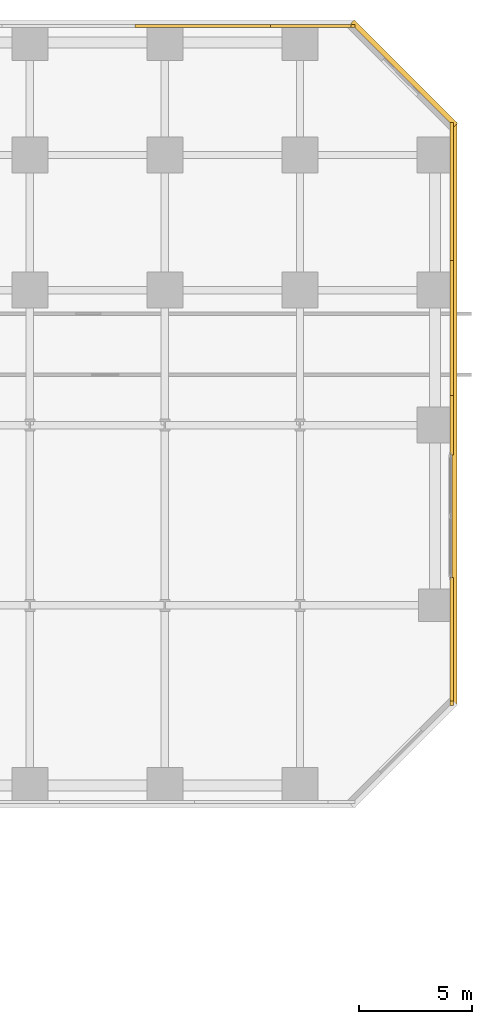
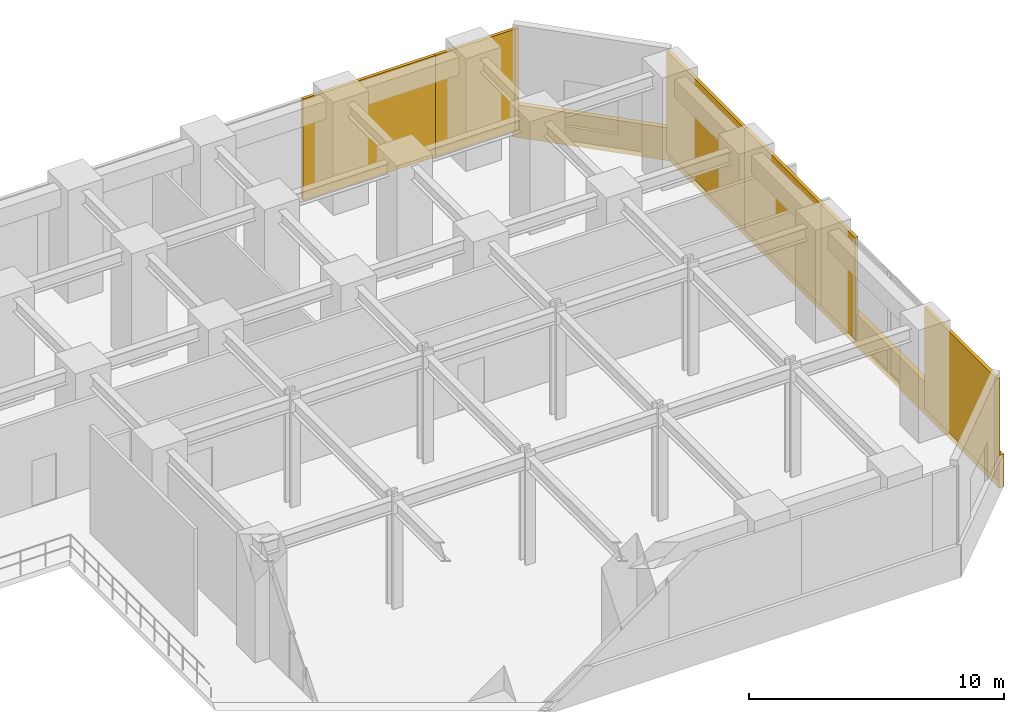
# One storey, part 33 of 33: 10 coverings.
"""IFC4 building model written with IfcOpenShell, lengths in metres."""

from ifc_helpers import new_model, si_unit, direction, frame, origin, origin_2d, place, context, subcontext, project, spatial, rectangle, extrude, source, transform, mapped, material, layer, layer_set, type_object, element, save


model = new_model("IFC4")

# Units and contexts
model_context = context("Model", 3, precision=1e-05, world=origin(), true_north=direction((0.0, 1.0)))
body_context = subcontext(model_context, "Body", "Model", "MODEL_VIEW")
ifc_project = project(units=[si_unit("LENGTHUNIT", "METRE"), si_unit("AREAUNIT", "SQUARE_METRE"), si_unit("VOLUMEUNIT", "CUBIC_METRE"), si_unit("PLANEANGLEUNIT", "RADIAN"), si_unit("MASSUNIT", "GRAM", prefix="KILO")], contexts=[model_context])

# Site, building, storey
site_placement = place(None, origin())
site = spatial("IfcSite", under=ifc_project, at=site_placement, CompositionType="ELEMENT")
building_placement = place(site_placement, origin())
building = spatial("IfcBuilding", under=site, at=building_placement, Name="Torre Montelarca", CompositionType="ELEMENT")
storey_placement = place(building_placement, frame((0.0, 0.0, 12.0)))
storey = spatial("IfcBuildingStorey", under=building, at=storey_placement, Name="L03", CompositionType="ELEMENT", Elevation=12.0)

# Coverings
ifc_material = material(Name="Bush-hammered warm white precast concrete C45/55", Category="concrete")
ifc_layer = layer(ifc_material, 0.139892578125, Name="Bush-hammered warm white precast concrete C45/55", Category="concrete")
ifc_layer_set = layer_set([ifc_layer], Name="Bush-hammered warm white precast concrete C45/55")
covering_type = type_object("IfcCoveringType", Name="COV-TRAY-CLAD", PredefinedType="CLADDING", material=ifc_layer_set)
shared_shape_1 = source(origin(), body_context, "Body", "SweptSolid", [
    extrude(rectangle(XDim=6.48388671875, YDim=0.219970703125, at=origin_2d()), origin(), (0.0, 0.0, 1.0), 1.56005859375),
])
covering_1_placement = place(storey_placement, frame((76.62890625, 55.62890625, -0.400146484375), z_axis=(0.0, 0.0, 1.0), x_axis=(-0.707106781187, 0.707106781187, 0.0)))
element("IfcCovering", 1, at=covering_1_placement, inside=storey, type_object=covering_type, Name="L03 Architectural White Spandrel Tray Band PODBOT-07", PredefinedType="CLADDING", context=body_context, shape_type="MappedRepresentation", body=[
    mapped(shared_shape_1, transform((0.0, 0.0, 0.0), scale=1.0)),
])
shared_shape_2 = source(origin(), body_context, "Body", "SweptSolid", [
    extrude(rectangle(XDim=25.919921875, YDim=0.219970703125, at=origin_2d()), origin(), (0.0, 0.0, 1.0), 1.56005859375),
])
covering_2_placement = place(storey_placement, frame((78.8701171875, 40.5, -0.400146484375), z_axis=(0.0, 0.0, 1.0), x_axis=(0.0, 1.0, 0.0)))
element("IfcCovering", 2, at=covering_2_placement, inside=storey, type_object=covering_type, Name="L03 Architectural White Spandrel Tray Band PODBOT-06", PredefinedType="CLADDING", context=body_context, shape_type="MappedRepresentation", body=[
    mapped(shared_shape_2, transform((0.0, 0.0, 0.0), scale=1.0)),
])
shared_shape_3 = source(origin(), body_context, "Body", "SweptSolid", [
    extrude(rectangle(XDim=0.179931640625, YDim=0.139892578125, at=origin_2d()), origin(), (0.0, 0.0, 1.0), 4.85009765625),
])
for number, where, z_axis, x_axis, name in (
    (3, (78.739990234375, 27.64990234375, 0.0), (0.0, 0.0, 1.0), (0.0, 1.0, 0.0), "L03 Architectural Column Pier Cladding E06-1"),
    (4, (74.35009765625, 57.739990234375, 0.0), (0.0, 0.0, 1.0), (-1.0, 0.0, 0.0), "L03 Architectural Column Pier Cladding E08-1"),
):
    element("IfcCovering", number, at=place(storey_placement, frame(where, z_axis=z_axis, x_axis=x_axis)), inside=storey, type_object=covering_type, Name=name, PredefinedType="CLADDING", context=body_context, shape_type="MappedRepresentation", body=[
        mapped(shared_shape_3, transform((0.0, 0.0, 0.0), scale=1.0)),
    ])
shared_shape_4 = source(origin(), body_context, "Body", "SweptSolid", [
    extrude(rectangle(XDim=2.639892578125, YDim=0.139892578125, at=origin_2d()), origin(), (0.0, 0.0, 1.0), 4.85009765625),
])
covering_3_placement = place(storey_placement, frame((78.739990234375, 40.0, 0.0), z_axis=(0.0, 0.0, 1.0), x_axis=(0.0, 1.0, 0.0)))
element("IfcCovering", 5, at=covering_3_placement, inside=storey, type_object=covering_type, Name="L03 Architectural Column Pier Cladding E06-3", PredefinedType="CLADDING", context=body_context, shape_type="MappedRepresentation", body=[
    mapped(shared_shape_4, transform((0.0, 0.0, 0.0), scale=1.0)),
])
shared_shape_5 = source(origin(), body_context, "Body", "SweptSolid", [
    extrude(rectangle(XDim=6.080078125, YDim=0.139892578125, at=origin_2d()), origin(), (0.0, 0.0, 1.0), 4.85009765625),
])
for number, where, z_axis, x_axis, name in (
    (6, (78.739990234375, 44.280029296875, 0.0), (0.0, 0.0, 1.0), (0.0, 1.0, 0.0), "L03 Architectural Column Pier Cladding E06-4"),
    (7, (67.719970703125, 57.739990234375, 0.0), (0.0, 0.0, 1.0), (-1.0, 0.0, 0.0), "L03 Architectural Column Pier Cladding E08-3"),
):
    element("IfcCovering", number, at=place(storey_placement, frame(where, z_axis=z_axis, x_axis=x_axis)), inside=storey, type_object=covering_type, Name=name, PredefinedType="CLADDING", context=body_context, shape_type="MappedRepresentation", body=[
        mapped(shared_shape_5, transform((0.0, 0.0, 0.0), scale=1.0)),
    ])
shared_shape_6 = source(origin(), body_context, "Body", "SweptSolid", [
    extrude(rectangle(XDim=5.5849609375, YDim=0.139892578125, at=origin_2d()), origin(), (0.0, 0.0, 1.0), 4.85009765625),
])
covering_4_placement = place(storey_placement, frame((78.739990234375, 30.452392578125, 0.0), z_axis=(0.0, 0.0, 1.0), x_axis=(0.0, 1.0, 0.0)))
element("IfcCovering", 8, at=covering_4_placement, inside=storey, type_object=covering_type, Name="L03 Architectural Column Pier Cladding E06-2", PredefinedType="CLADDING", context=body_context, shape_type="MappedRepresentation", body=[
    mapped(shared_shape_6, transform((0.0, 0.0, 0.0), scale=1.0)),
])
shared_shape_7 = source(origin(), body_context, "Body", "SweptSolid", [
    extrude(rectangle(XDim=6.199951171875, YDim=0.139892578125, at=origin_2d()), origin(), (0.0, 0.0, 1.0), 4.85009765625),
])
covering_5_placement = place(storey_placement, frame((78.739990234375, 50.340087890625, 0.0), z_axis=(0.0, 0.0, 1.0), x_axis=(0.0, 1.0, 0.0)))
element("IfcCovering", 9, at=covering_5_placement, inside=storey, type_object=covering_type, Name="L03 Architectural Column Pier Cladding E06-5", PredefinedType="CLADDING", context=body_context, shape_type="MappedRepresentation", body=[
    mapped(shared_shape_7, transform((0.0, 0.0, 0.0), scale=1.0)),
])
shared_shape_8 = source(origin(), body_context, "Body", "SweptSolid", [
    extrude(rectangle(XDim=3.659912109375, YDim=0.139892578125, at=origin_2d()), origin(), (0.0, 0.0, 1.0), 4.85009765625),
])
covering_6_placement = place(storey_placement, frame((72.510009765625, 57.739990234375, 0.0), z_axis=(0.0, 0.0, 1.0), x_axis=(-1.0, 0.0, 0.0)))
element("IfcCovering", 10, at=covering_6_placement, inside=storey, type_object=covering_type, Name="L03 Architectural Column Pier Cladding E08-2", PredefinedType="CLADDING", context=body_context, shape_type="MappedRepresentation", body=[
    mapped(shared_shape_8, transform((0.0, 0.0, 0.0), scale=1.0)),
])

save(model, "model.ifc")
